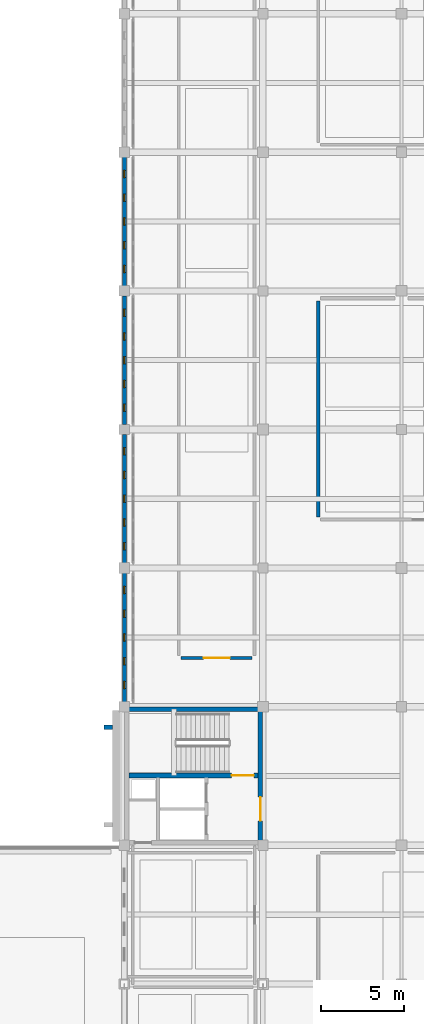
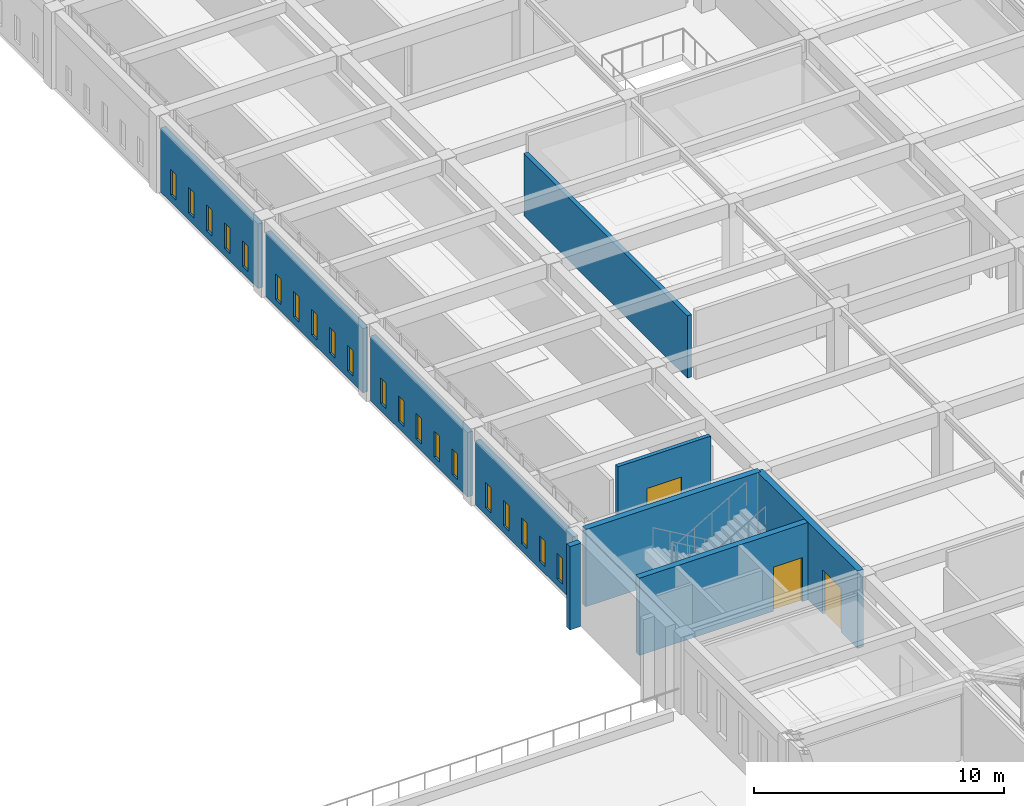
# One storey, part 32 of 47: 20 windows, 10 walls, 3 doors, 23 openings.
"""IFC4 building model written with IfcOpenShell, lengths in metres."""

import ifcopenshell
import ifcopenshell.guid

model = None  # the IFC model being written
_history = None  # IfcOwnerHistory: only IFC2X3 demands one
_inside = {}  # id of a spatial element -> (the spatial element, [elements in it])
_under = {}  # id of a project, library or spatial element -> (it, [spatial elements below it])
_declared = {}  # id of a project -> (the project, [libraries it declares])
_typed = {}  # id of a type object -> (the type object, [elements of that type])
_made_of = {}  # id of a material, layer set ... -> (it, [elements and type objects made of it])


def new_model(schema):
    """Start an empty IFC model of exactly this schema.

    Asked for "IFC4X3", IfcOpenShell would pick the latest addendum, in which some entities
    have other attributes; the version numbers below select the first issue.
    IFC2X3 requires an IfcOwnerHistory on every rooted entity: one is made here for all.
    """
    global model, _history
    if schema == "IFC4X3":
        model = ifcopenshell.file(schema_version=(4, 3, 0, 0))
    else:
        model = ifcopenshell.file(schema=schema)
    _inside.clear()
    _under.clear()
    _declared.clear()
    _typed.clear()
    _made_of.clear()
    _history = None
    if model.schema == "IFC2X3":
        org = make("IfcOrganization", Name="unknown")
        user = make(
            "IfcPersonAndOrganization",
            ThePerson=make("IfcPerson", FamilyName="unknown"),
            TheOrganization=org,
        )
        app = make(
            "IfcApplication",
            ApplicationDeveloper=org,
            Version="unknown",
            ApplicationFullName="unknown",
            ApplicationIdentifier="unknown",
        )
        _history = make(
            "IfcOwnerHistory",
            OwningUser=user,
            OwningApplication=app,
            ChangeAction="ADDED",
            CreationDate=0,
        )
    return model


def make(cls, **values):
    """One entity of the class cls with the attributes given. An attribute that is None is left unset."""
    return model.create_entity(
        cls, **{name: value for name, value in values.items() if value is not None}
    )


def rooted(cls, **values):
    """An entity with a GlobalId (a new one), such as an element, a storey or a relation."""
    return make(cls, GlobalId=ifcopenshell.guid.new(), OwnerHistory=_history, **values)


def si_unit(unit_type, name, prefix=None):
    """IfcSIUnit, for example si_unit("LENGTHUNIT", "METRE", prefix="MILLI")."""
    return make("IfcSIUnit", UnitType=unit_type, Prefix=prefix, Name=name)


def assignment(units):
    """IfcUnitAssignment: the units of a project."""
    return None if units is None else make("IfcUnitAssignment", Units=units)


def point(xyz):
    """IfcCartesianPoint."""
    return None if xyz is None else make("IfcCartesianPoint", Coordinates=xyz)


def direction(xyz):
    """IfcDirection."""
    return None if xyz is None else make("IfcDirection", DirectionRatios=xyz)


def frame(location, z_axis=None, x_axis=None):
    """IfcAxis2Placement3D, a coordinate frame: its origin and axes. An axis left out is left unset."""
    return make(
        "IfcAxis2Placement3D",
        Location=point(location),
        Axis=direction(z_axis),
        RefDirection=direction(x_axis),
    )


def frame_2d(location, x_axis=None):
    """IfcAxis2Placement2D, a coordinate frame in the plane: its origin and x axis."""
    return make(
        "IfcAxis2Placement2D", Location=point(location), RefDirection=direction(x_axis)
    )


def origin():
    """The frame at (0, 0, 0) with its axes left unset."""
    return frame((0.0, 0.0, 0.0))


def place(relative_to, where):
    """IfcLocalPlacement: puts the frame where relative to a parent placement (None: the world)."""
    return make(
        "IfcLocalPlacement", PlacementRelTo=relative_to, RelativePlacement=where
    )


def context(
    kind, dimensions, precision=None, world=None, true_north=None, identifier=None
):
    """IfcGeometricRepresentationContext, for example the 3D "Model" context."""
    return make(
        "IfcGeometricRepresentationContext",
        ContextIdentifier=identifier,
        ContextType=kind,
        CoordinateSpaceDimension=dimensions,
        Precision=precision,
        WorldCoordinateSystem=world,
        TrueNorth=true_north,
    )


def subcontext(parent, identifier, kind, view, scale=None):
    """IfcGeometricRepresentationSubContext, for example "Body" below "Model"."""
    return make(
        "IfcGeometricRepresentationSubContext",
        ContextIdentifier=identifier,
        ContextType=kind,
        ParentContext=parent,
        TargetScale=scale,
        TargetView=view,
    )


def project(units=None, contexts=None):
    """IfcProject with its units and contexts."""
    return rooted(
        "IfcProject",
        Name="project",
        RepresentationContexts=contexts,
        UnitsInContext=assignment(units),
    )


def spatial(cls, under=None, at=None, **own):
    """A site, building, storey or space (cls), placed at a placement, below another one or the project."""
    s = rooted(cls, ObjectPlacement=at, **own)
    if under is not None:
        _under.setdefault(under.id(), (under, []))[1].append(s)
    return s


def profile(cls, at=None, kind="AREA", **sizes):
    """A parametric profile (cls). Its sizes go by their IFC names, for example OverallWidth=200.0."""
    return make(cls, ProfileType=kind, Position=at, **sizes)


def rectangle(**sizes):
    """IfcRectangleProfileDef."""
    return profile("IfcRectangleProfileDef", **sizes)


def extrude(swept, where, along, depth):
    """IfcExtrudedAreaSolid: the profile swept, set in the frame where, extruded along a direction by depth."""
    return make(
        "IfcExtrudedAreaSolid",
        SweptArea=swept,
        Position=where,
        ExtrudedDirection=direction(along),
        Depth=depth,
    )


def shape(context_of_items, identifier, shape_type, items):
    """IfcShapeRepresentation: the items that make up one representation, for example the "Body"."""
    return make(
        "IfcShapeRepresentation",
        ContextOfItems=context_of_items,
        RepresentationIdentifier=identifier,
        RepresentationType=shape_type,
        Items=items,
    )


def material(Name=None, Category=None):
    """IfcMaterial."""
    return make("IfcMaterial", Name=Name, Category=Category)


def layer(
    of_material, thickness, ventilated=None, Name=None, Category=None, Priority=None
):
    """IfcMaterialLayer: one layer of a wall or slab, of a material (None: an air gap)."""
    return make(
        "IfcMaterialLayer",
        Material=of_material,
        LayerThickness=thickness,
        IsVentilated=ventilated,
        Name=Name,
        Category=Category,
        Priority=Priority,
    )


def layer_set(layers, Name=None):
    """IfcMaterialLayerSet."""
    return make("IfcMaterialLayerSet", MaterialLayers=layers, LayerSetName=Name)


def made_of(thing, what):
    """Note that an element or type object is made of a material, layer set ...; save() writes the relation."""
    if what is not None:
        _made_of.setdefault(what.id(), (what, []))[1].append(thing)
    return thing


def type_object(cls, material=None, **own):
    """A type object (cls), such as IfcWallType, which elements share."""
    return made_of(rooted(cls, **own), material)


def element(
    cls,
    number,
    at=None,
    inside=None,
    cuts=None,
    type_object=None,
    material=None,
    context=None,
    identifier="Body",
    shape_type=None,
    held_by="IfcProductDefinitionShape",
    body=None,
    shapes=None,
    **own,
):
    """One element of the class cls, such as IfcWall. Its Tag is "e" and its number.

    at: its placement. inside: the storey or other place that contains it. cuts: it is an
    opening in that element (IfcRelVoidsElement). A single representation is given by context,
    identifier, shape_type and body (its items); several are given by shapes. held_by: the class
    of the entity that holds the representations. save() writes the other relations.
    """
    e = rooted(cls, Tag="e%d" % number, ObjectPlacement=at, **own)
    if body is not None:
        shapes = [shape(context, identifier, shape_type, body)]
    if shapes is not None:
        e.Representation = make(held_by, Representations=shapes)
    if inside is not None:
        _inside.setdefault(inside.id(), (inside, []))[1].append(e)
    if cuts is not None:
        rooted(
            "IfcRelVoidsElement", RelatingBuildingElement=cuts, RelatedOpeningElement=e
        )
    if type_object is not None:
        _typed.setdefault(type_object.id(), (type_object, []))[1].append(e)
    return made_of(e, material)


def fill(opening, filler):
    """IfcRelFillsElement: the door or window that sits in an opening."""
    return rooted(
        "IfcRelFillsElement",
        RelatingOpeningElement=opening,
        RelatedBuildingElement=filler,
    )


def aggregate(whole, parts):
    """IfcRelAggregates: a whole, such as a stair, and the parts it consists of."""
    return rooted("IfcRelAggregates", RelatingObject=whole, RelatedObjects=parts)


def save(model, path):
    """Write the relations noted so far, then the file.

    IfcRelAggregates (storeys below a building ...), IfcRelContainedInSpatialStructure (elements
    in a storey), IfcRelDefinesByType, IfcRelAssociatesMaterial and IfcRelDeclares: one each for
    every whole, place, type object, material and project.
    """
    for whole, parts in _under.values():
        aggregate(whole, parts)
    for where, things in _inside.values():
        rooted(
            "IfcRelContainedInSpatialStructure",
            RelatedElements=things,
            RelatingStructure=where,
        )
    for kind, things in _typed.values():
        rooted("IfcRelDefinesByType", RelatedObjects=things, RelatingType=kind)
    for what, things in _made_of.values():
        rooted("IfcRelAssociatesMaterial", RelatedObjects=things, RelatingMaterial=what)
    for by, libraries in _declared.values():
        rooted("IfcRelDeclares", RelatingContext=by, RelatedDefinitions=libraries)
    model.write(path)


model = new_model("IFC4")

# Units and contexts
model_context = context("Model", 3, precision=1e-05, world=origin(), true_north=direction((0.0, 1.0)))
body_context = subcontext(model_context, "Body", "Model", "MODEL_VIEW")
ifc_project = project(units=[si_unit("LENGTHUNIT", "METRE"), si_unit("AREAUNIT", "SQUARE_METRE"), si_unit("VOLUMEUNIT", "CUBIC_METRE"), si_unit("PLANEANGLEUNIT", "RADIAN"), si_unit("MASSUNIT", "GRAM", prefix="KILO")], contexts=[model_context])

# Site, building, storey
site_placement = place(None, origin())
site = spatial("IfcSite", under=ifc_project, at=site_placement, CompositionType="ELEMENT")
building_placement = place(site_placement, origin())
building = spatial("IfcBuilding", under=site, at=building_placement, Name="Kveldsbrygga Polytechnic", CompositionType="ELEMENT")
storey_placement = place(building_placement, frame((0.0, 0.0, 13.93994140625)))
storey = spatial("IfcBuildingStorey", under=building, at=storey_placement, Name="L03", CompositionType="ELEMENT", Elevation=13.93994140625)

# Wall
ifc_material_1 = material(Name="Fired clay brick masonry M10", Category="masonry")
ifc_layer_1 = layer(ifc_material_1, 0.260009765625)
ifc_layer_set_1 = layer_set([ifc_layer_1], Name="Fired clay brick masonry M10")
wall_type_1 = type_object("IfcWallType", Name="EW-BUTT-260", PredefinedType="SOLIDWALL", material=ifc_layer_set_1)
wall_1_placement = place(storey_placement, frame((125.300048828125, 32.35009765625, 0.0), z_axis=(0.0, 0.0, 1.0), x_axis=(-1.0, 0.0, 0.0)))
element("IfcWall", 1, at=wall_1_placement, inside=storey, type_object=wall_type_1, Name="Gothic Brick Buttress Pier BCLAS-L03-Y-15-03-2", PredefinedType="SOLIDWALL", context=body_context, shape_type="SweptSolid", body=[
    extrude(rectangle(XDim=0.52001953125, YDim=0.260009765625, at=frame_2d((0.260009765625, 0.0))), origin(), (0.0, 0.0, 1.0), 4.080078125),
])

# Wall, openings, windows
ifc_layer_2 = layer(ifc_material_1, 0.239990234375)
ifc_layer_set_2 = layer_set([ifc_layer_2], Name="Fired clay brick masonry M10")
wall_type_2 = type_object("IfcWallType", Name="EW-SCRN-240", PredefinedType="SOLIDWALL", material=ifc_layer_set_2)
wall_2_placement = place(storey_placement, frame((126.0, 33.89501953125, 0.0), z_axis=(0.0, 0.0, 1.0), x_axis=(0.0, 1.0, 0.0)))
wall_2 = element("IfcWall", 2, at=wall_2_placement, inside=storey, type_object=wall_type_2, Name="Perforated Brick Corridor Screen Wall SCRW-L03-Y-15-04", PredefinedType="SOLIDWALL", context=body_context, shape_type="SweptSolid", body=[
    extrude(rectangle(XDim=7.794921875, YDim=0.239990234375, at=frame_2d((3.8974609375, 0.0))), origin(), (0.0, 0.0, 1.0), 3.150146484375),
])
opening_1_placement = place(wall_2_placement, frame((0.799560546875, 0.0, 0.35009765625)))
opening_1 = element("IfcOpeningElement", 3, at=opening_1_placement, cuts=wall_2, Name="Opening W-48", PredefinedType="OPENING", context=body_context, shape_type="SweptSolid", body=[
    extrude(rectangle(XDim=0.43994140625, YDim=1.25, at=frame_2d((0.219970703125, 0.625))), frame((0.0, 0.1298828125, 0.0), z_axis=(0.0, -1.0, 0.0), x_axis=(1.0, 0.0, 0.0)), (0.0, 0.0, 1.0), 0.260009765625),
])
opening_2_placement = place(wall_2_placement, frame((2.238525390625, 0.0, 0.35009765625)))
opening_2 = element("IfcOpeningElement", 4, at=opening_2_placement, cuts=wall_2, Name="Opening W-48", PredefinedType="OPENING", context=body_context, shape_type="SweptSolid", body=[
    extrude(rectangle(XDim=0.43994140625, YDim=1.25, at=frame_2d((0.219970703125, 0.625))), frame((0.0, 0.1298828125, 0.0), z_axis=(0.0, -1.0, 0.0), x_axis=(1.0, 0.0, 0.0)), (0.0, 0.0, 1.0), 0.260009765625),
])
opening_3_placement = place(wall_2_placement, frame((3.677490234375, 0.0, 0.35009765625)))
opening_3 = element("IfcOpeningElement", 5, at=opening_3_placement, cuts=wall_2, Name="Opening W-48", PredefinedType="OPENING", context=body_context, shape_type="SweptSolid", body=[
    extrude(rectangle(XDim=0.43994140625, YDim=1.25, at=frame_2d((0.219970703125, 0.625))), frame((0.0, 0.1298828125, 0.0), z_axis=(0.0, -1.0, 0.0), x_axis=(1.0, 0.0, 0.0)), (0.0, 0.0, 1.0), 0.260009765625),
])
opening_4_placement = place(wall_2_placement, frame((5.116455078125, 0.0, 0.35009765625)))
opening_4 = element("IfcOpeningElement", 6, at=opening_4_placement, cuts=wall_2, Name="Opening W-48", PredefinedType="OPENING", context=body_context, shape_type="SweptSolid", body=[
    extrude(rectangle(XDim=0.43994140625, YDim=1.25, at=frame_2d((0.219970703125, 0.625))), frame((0.0, 0.1298828125, 0.0), z_axis=(0.0, -1.0, 0.0), x_axis=(1.0, 0.0, 0.0)), (0.0, 0.0, 1.0), 0.260009765625),
])
opening_5_placement = place(wall_2_placement, frame((6.555419921875, 0.0, 0.35009765625)))
opening_5 = element("IfcOpeningElement", 7, at=opening_5_placement, cuts=wall_2, Name="Opening W-48", PredefinedType="OPENING", context=body_context, shape_type="SweptSolid", body=[
    extrude(rectangle(XDim=0.43994140625, YDim=1.25, at=frame_2d((0.219970703125, 0.625))), frame((0.0, 0.1298828125, 0.0), z_axis=(0.0, -1.0, 0.0), x_axis=(1.0, 0.0, 0.0)), (0.0, 0.0, 1.0), 0.260009765625),
])
ifc_material_2 = material(Name="Insulated triple low-E glass", Category="glass")
window_type = type_object("IfcWindowType", Name="WN-SCRN-044x125", PartitioningType="SINGLE_PANEL", PredefinedType="WINDOW", material=ifc_material_2)
window_1_placement = place(opening_1_placement, origin())
window_1 = element("IfcWindow", 8, at=window_1_placement, inside=storey, type_object=window_type, Name="Perforated Screen Aperture L03-Y-15-04-1", OverallHeight=1.25, OverallWidth=0.43994140625, PartitioningType="SINGLE_PANEL", PredefinedType="WINDOW", context=body_context, shape_type="SweptSolid", body=[
    extrude(rectangle(XDim=0.43994140625, YDim=1.25, at=frame_2d((0.219970703125, 0.625))), frame((0.0, 0.030029296875, 0.0), z_axis=(0.0, -1.0, 0.0), x_axis=(1.0, 0.0, 0.0)), (0.0, 0.0, 1.0), 0.06005859375),
])
fill(opening_1, window_1)
window_2_placement = place(opening_2_placement, origin())
window_2 = element("IfcWindow", 9, at=window_2_placement, inside=storey, type_object=window_type, Name="Perforated Screen Aperture L03-Y-15-04-2", OverallHeight=1.25, OverallWidth=0.43994140625, PartitioningType="SINGLE_PANEL", PredefinedType="WINDOW", context=body_context, shape_type="SweptSolid", body=[
    extrude(rectangle(XDim=0.43994140625, YDim=1.25, at=frame_2d((0.219970703125, 0.625))), frame((0.0, 0.030029296875, 0.0), z_axis=(0.0, -1.0, 0.0), x_axis=(1.0, 0.0, 0.0)), (0.0, 0.0, 1.0), 0.06005859375),
])
fill(opening_2, window_2)
window_3_placement = place(opening_3_placement, origin())
window_3 = element("IfcWindow", 10, at=window_3_placement, inside=storey, type_object=window_type, Name="Perforated Screen Aperture L03-Y-15-04-3", OverallHeight=1.25, OverallWidth=0.43994140625, PartitioningType="SINGLE_PANEL", PredefinedType="WINDOW", context=body_context, shape_type="SweptSolid", body=[
    extrude(rectangle(XDim=0.43994140625, YDim=1.25, at=frame_2d((0.219970703125, 0.625))), frame((0.0, 0.030029296875, 0.0), z_axis=(0.0, -1.0, 0.0), x_axis=(1.0, 0.0, 0.0)), (0.0, 0.0, 1.0), 0.06005859375),
])
fill(opening_3, window_3)
window_4_placement = place(opening_4_placement, origin())
window_4 = element("IfcWindow", 11, at=window_4_placement, inside=storey, type_object=window_type, Name="Perforated Screen Aperture L03-Y-15-04-4", OverallHeight=1.25, OverallWidth=0.43994140625, PartitioningType="SINGLE_PANEL", PredefinedType="WINDOW", context=body_context, shape_type="SweptSolid", body=[
    extrude(rectangle(XDim=0.43994140625, YDim=1.25, at=frame_2d((0.219970703125, 0.625))), frame((0.0, 0.030029296875, 0.0), z_axis=(0.0, -1.0, 0.0), x_axis=(1.0, 0.0, 0.0)), (0.0, 0.0, 1.0), 0.06005859375),
])
fill(opening_4, window_4)
window_5_placement = place(opening_5_placement, origin())
window_5 = element("IfcWindow", 12, at=window_5_placement, inside=storey, type_object=window_type, Name="Perforated Screen Aperture L03-Y-15-04-5", OverallHeight=1.25, OverallWidth=0.43994140625, PartitioningType="SINGLE_PANEL", PredefinedType="WINDOW", context=body_context, shape_type="SweptSolid", body=[
    extrude(rectangle(XDim=0.43994140625, YDim=1.25, at=frame_2d((0.219970703125, 0.625))), frame((0.0, 0.030029296875, 0.0), z_axis=(0.0, -1.0, 0.0), x_axis=(1.0, 0.0, 0.0)), (0.0, 0.0, 1.0), 0.06005859375),
])
fill(opening_5, window_5)

wall_3_placement = place(storey_placement, frame((126.0, 42.31005859375, 0.0), z_axis=(0.0, 0.0, 1.0), x_axis=(0.0, 1.0, 0.0)))
wall_3 = element("IfcWall", 13, at=wall_3_placement, inside=storey, type_object=wall_type_2, Name="Perforated Brick Corridor Screen Wall SCRW-L03-Y-15-05", PredefinedType="SOLIDWALL", context=body_context, shape_type="SweptSolid", body=[
    extrude(rectangle(XDim=7.794921875, YDim=0.239990234375, at=frame_2d((3.8974609375, 0.0))), origin(), (0.0, 0.0, 1.0), 3.150146484375),
])
opening_6_placement = place(wall_3_placement, frame((0.799560546875, 0.0, 0.35009765625)))
opening_6 = element("IfcOpeningElement", 14, at=opening_6_placement, cuts=wall_3, Name="Opening W-48", PredefinedType="OPENING", context=body_context, shape_type="SweptSolid", body=[
    extrude(rectangle(XDim=0.43994140625, YDim=1.25, at=frame_2d((0.219970703125, 0.625))), frame((0.0, 0.1298828125, 0.0), z_axis=(0.0, -1.0, 0.0), x_axis=(1.0, 0.0, 0.0)), (0.0, 0.0, 1.0), 0.260009765625),
])
opening_7_placement = place(wall_3_placement, frame((2.238525390625, 0.0, 0.35009765625)))
opening_7 = element("IfcOpeningElement", 15, at=opening_7_placement, cuts=wall_3, Name="Opening W-48", PredefinedType="OPENING", context=body_context, shape_type="SweptSolid", body=[
    extrude(rectangle(XDim=0.43994140625, YDim=1.25, at=frame_2d((0.219970703125, 0.625))), frame((0.0, 0.1298828125, 0.0), z_axis=(0.0, -1.0, 0.0), x_axis=(1.0, 0.0, 0.0)), (0.0, 0.0, 1.0), 0.260009765625),
])
opening_8_placement = place(wall_3_placement, frame((3.677490234375, 0.0, 0.35009765625)))
opening_8 = element("IfcOpeningElement", 16, at=opening_8_placement, cuts=wall_3, Name="Opening W-48", PredefinedType="OPENING", context=body_context, shape_type="SweptSolid", body=[
    extrude(rectangle(XDim=0.43994140625, YDim=1.25, at=frame_2d((0.219970703125, 0.625))), frame((0.0, 0.1298828125, 0.0), z_axis=(0.0, -1.0, 0.0), x_axis=(1.0, 0.0, 0.0)), (0.0, 0.0, 1.0), 0.260009765625),
])
opening_9_placement = place(wall_3_placement, frame((5.116455078125, 0.0, 0.35009765625)))
opening_9 = element("IfcOpeningElement", 17, at=opening_9_placement, cuts=wall_3, Name="Opening W-48", PredefinedType="OPENING", context=body_context, shape_type="SweptSolid", body=[
    extrude(rectangle(XDim=0.43994140625, YDim=1.25, at=frame_2d((0.219970703125, 0.625))), frame((0.0, 0.1298828125, 0.0), z_axis=(0.0, -1.0, 0.0), x_axis=(1.0, 0.0, 0.0)), (0.0, 0.0, 1.0), 0.260009765625),
])
opening_10_placement = place(wall_3_placement, frame((6.555419921875, 0.0, 0.35009765625)))
opening_10 = element("IfcOpeningElement", 18, at=opening_10_placement, cuts=wall_3, Name="Opening W-48", PredefinedType="OPENING", context=body_context, shape_type="SweptSolid", body=[
    extrude(rectangle(XDim=0.43994140625, YDim=1.25, at=frame_2d((0.219970703125, 0.625))), frame((0.0, 0.1298828125, 0.0), z_axis=(0.0, -1.0, 0.0), x_axis=(1.0, 0.0, 0.0)), (0.0, 0.0, 1.0), 0.260009765625),
])
window_6_placement = place(opening_6_placement, origin())
window_6 = element("IfcWindow", 19, at=window_6_placement, inside=storey, type_object=window_type, Name="Perforated Screen Aperture L03-Y-15-05-1", OverallHeight=1.25, OverallWidth=0.43994140625, PartitioningType="SINGLE_PANEL", PredefinedType="WINDOW", context=body_context, shape_type="SweptSolid", body=[
    extrude(rectangle(XDim=0.43994140625, YDim=1.25, at=frame_2d((0.219970703125, 0.625))), frame((0.0, 0.030029296875, 0.0), z_axis=(0.0, -1.0, 0.0), x_axis=(1.0, 0.0, 0.0)), (0.0, 0.0, 1.0), 0.06005859375),
])
fill(opening_6, window_6)
window_7_placement = place(opening_7_placement, origin())
window_7 = element("IfcWindow", 20, at=window_7_placement, inside=storey, type_object=window_type, Name="Perforated Screen Aperture L03-Y-15-05-2", OverallHeight=1.25, OverallWidth=0.43994140625, PartitioningType="SINGLE_PANEL", PredefinedType="WINDOW", context=body_context, shape_type="SweptSolid", body=[
    extrude(rectangle(XDim=0.43994140625, YDim=1.25, at=frame_2d((0.219970703125, 0.625))), frame((0.0, 0.030029296875, 0.0), z_axis=(0.0, -1.0, 0.0), x_axis=(1.0, 0.0, 0.0)), (0.0, 0.0, 1.0), 0.06005859375),
])
fill(opening_7, window_7)
window_8_placement = place(opening_8_placement, origin())
window_8 = element("IfcWindow", 21, at=window_8_placement, inside=storey, type_object=window_type, Name="Perforated Screen Aperture L03-Y-15-05-3", OverallHeight=1.25, OverallWidth=0.43994140625, PartitioningType="SINGLE_PANEL", PredefinedType="WINDOW", context=body_context, shape_type="SweptSolid", body=[
    extrude(rectangle(XDim=0.43994140625, YDim=1.25, at=frame_2d((0.219970703125, 0.625))), frame((0.0, 0.030029296875, 0.0), z_axis=(0.0, -1.0, 0.0), x_axis=(1.0, 0.0, 0.0)), (0.0, 0.0, 1.0), 0.06005859375),
])
fill(opening_8, window_8)
window_9_placement = place(opening_9_placement, origin())
window_9 = element("IfcWindow", 22, at=window_9_placement, inside=storey, type_object=window_type, Name="Perforated Screen Aperture L03-Y-15-05-4", OverallHeight=1.25, OverallWidth=0.43994140625, PartitioningType="SINGLE_PANEL", PredefinedType="WINDOW", context=body_context, shape_type="SweptSolid", body=[
    extrude(rectangle(XDim=0.43994140625, YDim=1.25, at=frame_2d((0.219970703125, 0.625))), frame((0.0, 0.030029296875, 0.0), z_axis=(0.0, -1.0, 0.0), x_axis=(1.0, 0.0, 0.0)), (0.0, 0.0, 1.0), 0.06005859375),
])
fill(opening_9, window_9)
window_10_placement = place(opening_10_placement, origin())
window_10 = element("IfcWindow", 23, at=window_10_placement, inside=storey, type_object=window_type, Name="Perforated Screen Aperture L03-Y-15-05-5", OverallHeight=1.25, OverallWidth=0.43994140625, PartitioningType="SINGLE_PANEL", PredefinedType="WINDOW", context=body_context, shape_type="SweptSolid", body=[
    extrude(rectangle(XDim=0.43994140625, YDim=1.25, at=frame_2d((0.219970703125, 0.625))), frame((0.0, 0.030029296875, 0.0), z_axis=(0.0, -1.0, 0.0), x_axis=(1.0, 0.0, 0.0)), (0.0, 0.0, 1.0), 0.06005859375),
])
fill(opening_10, window_10)

wall_4_placement = place(storey_placement, frame((126.0, 50.695068359375, 0.0), z_axis=(0.0, 0.0, 1.0), x_axis=(0.0, 1.0, 0.0)))
wall_4 = element("IfcWall", 24, at=wall_4_placement, inside=storey, type_object=wall_type_2, Name="Perforated Brick Corridor Screen Wall SCRW-L03-Y-15-06", PredefinedType="SOLIDWALL", context=body_context, shape_type="SweptSolid", body=[
    extrude(rectangle(XDim=7.794921875, YDim=0.239990234375, at=frame_2d((3.8974609375, 0.0))), origin(), (0.0, 0.0, 1.0), 3.150146484375),
])
opening_11_placement = place(wall_4_placement, frame((0.799560546875, 0.0, 0.35009765625)))
opening_11 = element("IfcOpeningElement", 25, at=opening_11_placement, cuts=wall_4, Name="Opening W-48", PredefinedType="OPENING", context=body_context, shape_type="SweptSolid", body=[
    extrude(rectangle(XDim=0.43994140625, YDim=1.25, at=frame_2d((0.219970703125, 0.625))), frame((0.0, 0.1298828125, 0.0), z_axis=(0.0, -1.0, 0.0), x_axis=(1.0, 0.0, 0.0)), (0.0, 0.0, 1.0), 0.260009765625),
])
opening_12_placement = place(wall_4_placement, frame((2.238525390625, 0.0, 0.35009765625)))
opening_12 = element("IfcOpeningElement", 26, at=opening_12_placement, cuts=wall_4, Name="Opening W-48", PredefinedType="OPENING", context=body_context, shape_type="SweptSolid", body=[
    extrude(rectangle(XDim=0.43994140625, YDim=1.25, at=frame_2d((0.219970703125, 0.625))), frame((0.0, 0.1298828125, 0.0), z_axis=(0.0, -1.0, 0.0), x_axis=(1.0, 0.0, 0.0)), (0.0, 0.0, 1.0), 0.260009765625),
])
opening_13_placement = place(wall_4_placement, frame((3.677490234375, 0.0, 0.35009765625)))
opening_13 = element("IfcOpeningElement", 27, at=opening_13_placement, cuts=wall_4, Name="Opening W-48", PredefinedType="OPENING", context=body_context, shape_type="SweptSolid", body=[
    extrude(rectangle(XDim=0.43994140625, YDim=1.25, at=frame_2d((0.219970703125, 0.625))), frame((0.0, 0.1298828125, 0.0), z_axis=(0.0, -1.0, 0.0), x_axis=(1.0, 0.0, 0.0)), (0.0, 0.0, 1.0), 0.260009765625),
])
opening_14_placement = place(wall_4_placement, frame((5.116455078125, 0.0, 0.35009765625)))
opening_14 = element("IfcOpeningElement", 28, at=opening_14_placement, cuts=wall_4, Name="Opening W-48", PredefinedType="OPENING", context=body_context, shape_type="SweptSolid", body=[
    extrude(rectangle(XDim=0.43994140625, YDim=1.25, at=frame_2d((0.219970703125, 0.625))), frame((0.0, 0.1298828125, 0.0), z_axis=(0.0, -1.0, 0.0), x_axis=(1.0, 0.0, 0.0)), (0.0, 0.0, 1.0), 0.260009765625),
])
opening_15_placement = place(wall_4_placement, frame((6.555419921875, 0.0, 0.35009765625)))
opening_15 = element("IfcOpeningElement", 29, at=opening_15_placement, cuts=wall_4, Name="Opening W-48", PredefinedType="OPENING", context=body_context, shape_type="SweptSolid", body=[
    extrude(rectangle(XDim=0.43994140625, YDim=1.25, at=frame_2d((0.219970703125, 0.625))), frame((0.0, 0.1298828125, 0.0), z_axis=(0.0, -1.0, 0.0), x_axis=(1.0, 0.0, 0.0)), (0.0, 0.0, 1.0), 0.260009765625),
])
window_11_placement = place(opening_11_placement, origin())
window_11 = element("IfcWindow", 30, at=window_11_placement, inside=storey, type_object=window_type, Name="Perforated Screen Aperture L03-Y-15-06-1", OverallHeight=1.25, OverallWidth=0.43994140625, PartitioningType="SINGLE_PANEL", PredefinedType="WINDOW", context=body_context, shape_type="SweptSolid", body=[
    extrude(rectangle(XDim=0.43994140625, YDim=1.25, at=frame_2d((0.219970703125, 0.625))), frame((0.0, 0.030029296875, 0.0), z_axis=(0.0, -1.0, 0.0), x_axis=(1.0, 0.0, 0.0)), (0.0, 0.0, 1.0), 0.06005859375),
])
fill(opening_11, window_11)
window_12_placement = place(opening_12_placement, origin())
window_12 = element("IfcWindow", 31, at=window_12_placement, inside=storey, type_object=window_type, Name="Perforated Screen Aperture L03-Y-15-06-2", OverallHeight=1.25, OverallWidth=0.43994140625, PartitioningType="SINGLE_PANEL", PredefinedType="WINDOW", context=body_context, shape_type="SweptSolid", body=[
    extrude(rectangle(XDim=0.43994140625, YDim=1.25, at=frame_2d((0.219970703125, 0.625))), frame((0.0, 0.030029296875, 0.0), z_axis=(0.0, -1.0, 0.0), x_axis=(1.0, 0.0, 0.0)), (0.0, 0.0, 1.0), 0.06005859375),
])
fill(opening_12, window_12)
window_13_placement = place(opening_13_placement, origin())
window_13 = element("IfcWindow", 32, at=window_13_placement, inside=storey, type_object=window_type, Name="Perforated Screen Aperture L03-Y-15-06-3", OverallHeight=1.25, OverallWidth=0.43994140625, PartitioningType="SINGLE_PANEL", PredefinedType="WINDOW", context=body_context, shape_type="SweptSolid", body=[
    extrude(rectangle(XDim=0.43994140625, YDim=1.25, at=frame_2d((0.219970703125, 0.625))), frame((0.0, 0.030029296875, 0.0), z_axis=(0.0, -1.0, 0.0), x_axis=(1.0, 0.0, 0.0)), (0.0, 0.0, 1.0), 0.06005859375),
])
fill(opening_13, window_13)
window_14_placement = place(opening_14_placement, origin())
window_14 = element("IfcWindow", 33, at=window_14_placement, inside=storey, type_object=window_type, Name="Perforated Screen Aperture L03-Y-15-06-4", OverallHeight=1.25, OverallWidth=0.43994140625, PartitioningType="SINGLE_PANEL", PredefinedType="WINDOW", context=body_context, shape_type="SweptSolid", body=[
    extrude(rectangle(XDim=0.43994140625, YDim=1.25, at=frame_2d((0.219970703125, 0.625))), frame((0.0, 0.030029296875, 0.0), z_axis=(0.0, -1.0, 0.0), x_axis=(1.0, 0.0, 0.0)), (0.0, 0.0, 1.0), 0.06005859375),
])
fill(opening_14, window_14)
window_15_placement = place(opening_15_placement, origin())
window_15 = element("IfcWindow", 34, at=window_15_placement, inside=storey, type_object=window_type, Name="Perforated Screen Aperture L03-Y-15-06-5", OverallHeight=1.25, OverallWidth=0.43994140625, PartitioningType="SINGLE_PANEL", PredefinedType="WINDOW", context=body_context, shape_type="SweptSolid", body=[
    extrude(rectangle(XDim=0.43994140625, YDim=1.25, at=frame_2d((0.219970703125, 0.625))), frame((0.0, 0.030029296875, 0.0), z_axis=(0.0, -1.0, 0.0), x_axis=(1.0, 0.0, 0.0)), (0.0, 0.0, 1.0), 0.06005859375),
])
fill(opening_15, window_15)

wall_5_placement = place(storey_placement, frame((126.0, 59.110107421875, 0.0), z_axis=(0.0, 0.0, 1.0), x_axis=(0.0, 1.0, 0.0)))
wall_5 = element("IfcWall", 35, at=wall_5_placement, inside=storey, type_object=wall_type_2, Name="Perforated Brick Corridor Screen Wall SCRW-L03-Y-15-07", PredefinedType="SOLIDWALL", context=body_context, shape_type="SweptSolid", body=[
    extrude(rectangle(XDim=7.794921875, YDim=0.239990234375, at=frame_2d((3.8974609375, 0.0))), origin(), (0.0, 0.0, 1.0), 3.150146484375),
])
opening_16_placement = place(wall_5_placement, frame((0.799560546875, 0.0, 0.35009765625)))
opening_16 = element("IfcOpeningElement", 36, at=opening_16_placement, cuts=wall_5, Name="Opening W-48", PredefinedType="OPENING", context=body_context, shape_type="SweptSolid", body=[
    extrude(rectangle(XDim=0.43994140625, YDim=1.25, at=frame_2d((0.219970703125, 0.625))), frame((0.0, 0.1298828125, 0.0), z_axis=(0.0, -1.0, 0.0), x_axis=(1.0, 0.0, 0.0)), (0.0, 0.0, 1.0), 0.260009765625),
])
opening_17_placement = place(wall_5_placement, frame((2.238525390625, 0.0, 0.35009765625)))
opening_17 = element("IfcOpeningElement", 37, at=opening_17_placement, cuts=wall_5, Name="Opening W-48", PredefinedType="OPENING", context=body_context, shape_type="SweptSolid", body=[
    extrude(rectangle(XDim=0.43994140625, YDim=1.25, at=frame_2d((0.219970703125, 0.625))), frame((0.0, 0.1298828125, 0.0), z_axis=(0.0, -1.0, 0.0), x_axis=(1.0, 0.0, 0.0)), (0.0, 0.0, 1.0), 0.260009765625),
])
opening_18_placement = place(wall_5_placement, frame((3.677490234375, 0.0, 0.35009765625)))
opening_18 = element("IfcOpeningElement", 38, at=opening_18_placement, cuts=wall_5, Name="Opening W-48", PredefinedType="OPENING", context=body_context, shape_type="SweptSolid", body=[
    extrude(rectangle(XDim=0.43994140625, YDim=1.25, at=frame_2d((0.219970703125, 0.625))), frame((0.0, 0.1298828125, 0.0), z_axis=(0.0, -1.0, 0.0), x_axis=(1.0, 0.0, 0.0)), (0.0, 0.0, 1.0), 0.260009765625),
])
opening_19_placement = place(wall_5_placement, frame((5.116455078125, 0.0, 0.35009765625)))
opening_19 = element("IfcOpeningElement", 39, at=opening_19_placement, cuts=wall_5, Name="Opening W-48", PredefinedType="OPENING", context=body_context, shape_type="SweptSolid", body=[
    extrude(rectangle(XDim=0.43994140625, YDim=1.25, at=frame_2d((0.219970703125, 0.625))), frame((0.0, 0.1298828125, 0.0), z_axis=(0.0, -1.0, 0.0), x_axis=(1.0, 0.0, 0.0)), (0.0, 0.0, 1.0), 0.260009765625),
])
opening_20_placement = place(wall_5_placement, frame((6.555419921875, 0.0, 0.35009765625)))
opening_20 = element("IfcOpeningElement", 40, at=opening_20_placement, cuts=wall_5, Name="Opening W-48", PredefinedType="OPENING", context=body_context, shape_type="SweptSolid", body=[
    extrude(rectangle(XDim=0.43994140625, YDim=1.25, at=frame_2d((0.219970703125, 0.625))), frame((0.0, 0.1298828125, 0.0), z_axis=(0.0, -1.0, 0.0), x_axis=(1.0, 0.0, 0.0)), (0.0, 0.0, 1.0), 0.260009765625),
])
window_16_placement = place(opening_16_placement, origin())
window_16 = element("IfcWindow", 41, at=window_16_placement, inside=storey, type_object=window_type, Name="Perforated Screen Aperture L03-Y-15-07-1", OverallHeight=1.25, OverallWidth=0.43994140625, PartitioningType="SINGLE_PANEL", PredefinedType="WINDOW", context=body_context, shape_type="SweptSolid", body=[
    extrude(rectangle(XDim=0.43994140625, YDim=1.25, at=frame_2d((0.219970703125, 0.625))), frame((0.0, 0.030029296875, 0.0), z_axis=(0.0, -1.0, 0.0), x_axis=(1.0, 0.0, 0.0)), (0.0, 0.0, 1.0), 0.06005859375),
])
fill(opening_16, window_16)
window_17_placement = place(opening_17_placement, origin())
window_17 = element("IfcWindow", 42, at=window_17_placement, inside=storey, type_object=window_type, Name="Perforated Screen Aperture L03-Y-15-07-2", OverallHeight=1.25, OverallWidth=0.43994140625, PartitioningType="SINGLE_PANEL", PredefinedType="WINDOW", context=body_context, shape_type="SweptSolid", body=[
    extrude(rectangle(XDim=0.43994140625, YDim=1.25, at=frame_2d((0.219970703125, 0.625))), frame((0.0, 0.030029296875, 0.0), z_axis=(0.0, -1.0, 0.0), x_axis=(1.0, 0.0, 0.0)), (0.0, 0.0, 1.0), 0.06005859375),
])
fill(opening_17, window_17)
window_18_placement = place(opening_18_placement, origin())
window_18 = element("IfcWindow", 43, at=window_18_placement, inside=storey, type_object=window_type, Name="Perforated Screen Aperture L03-Y-15-07-3", OverallHeight=1.25, OverallWidth=0.43994140625, PartitioningType="SINGLE_PANEL", PredefinedType="WINDOW", context=body_context, shape_type="SweptSolid", body=[
    extrude(rectangle(XDim=0.43994140625, YDim=1.25, at=frame_2d((0.219970703125, 0.625))), frame((0.0, 0.030029296875, 0.0), z_axis=(0.0, -1.0, 0.0), x_axis=(1.0, 0.0, 0.0)), (0.0, 0.0, 1.0), 0.06005859375),
])
fill(opening_18, window_18)
window_19_placement = place(opening_19_placement, origin())
window_19 = element("IfcWindow", 44, at=window_19_placement, inside=storey, type_object=window_type, Name="Perforated Screen Aperture L03-Y-15-07-4", OverallHeight=1.25, OverallWidth=0.43994140625, PartitioningType="SINGLE_PANEL", PredefinedType="WINDOW", context=body_context, shape_type="SweptSolid", body=[
    extrude(rectangle(XDim=0.43994140625, YDim=1.25, at=frame_2d((0.219970703125, 0.625))), frame((0.0, 0.030029296875, 0.0), z_axis=(0.0, -1.0, 0.0), x_axis=(1.0, 0.0, 0.0)), (0.0, 0.0, 1.0), 0.06005859375),
])
fill(opening_19, window_19)
window_20_placement = place(opening_20_placement, origin())
window_20 = element("IfcWindow", 45, at=window_20_placement, inside=storey, type_object=window_type, Name="Perforated Screen Aperture L03-Y-15-07-5", OverallHeight=1.25, OverallWidth=0.43994140625, PartitioningType="SINGLE_PANEL", PredefinedType="WINDOW", context=body_context, shape_type="SweptSolid", body=[
    extrude(rectangle(XDim=0.43994140625, YDim=1.25, at=frame_2d((0.219970703125, 0.625))), frame((0.0, 0.030029296875, 0.0), z_axis=(0.0, -1.0, 0.0), x_axis=(1.0, 0.0, 0.0)), (0.0, 0.0, 1.0), 0.06005859375),
])
fill(opening_20, window_20)

# Wall, opening, door
ifc_material_3 = material(Name="Gypsum acoustic stud partition")
ifc_layer_3 = layer(ifc_material_3, 0.179931640625)
ifc_layer_set_3 = layer_set([ifc_layer_3], Name="Gypsum acoustic stud partition")
wall_type_3 = type_object("IfcWallType", Name="IW-CORR-180", PredefinedType="PARTITIONING", material=ifc_layer_set_3)
wall_6_placement = place(storey_placement, frame((129.449951171875, 36.550048828125, 0.0), z_axis=(0.0, 0.0, 1.0), x_axis=(1.0, 0.0, 0.0)))
wall_6 = element("IfcWall", 46, at=wall_6_placement, inside=storey, type_object=wall_type_3, Name="Partition Wall IW-SP-L03-COM1-S1", PredefinedType="PARTITIONING", context=body_context, shape_type="SweptSolid", body=[
    extrude(rectangle(XDim=4.300048828125, YDim=0.179931640625, at=frame_2d((2.14990234375, 0.0))), origin(), (0.0, 0.0, 1.0), 3.780029296875),
])
opening_21_placement = place(wall_6_placement, frame((1.35009765625, 0.0, 0.0)))
opening_21 = element("IfcOpeningElement", 47, at=opening_21_placement, cuts=wall_6, Name="Opening ID-L03-075", PredefinedType="OPENING", context=body_context, shape_type="SweptSolid", body=[
    extrude(rectangle(XDim=1.60009765625, YDim=2.25, at=frame_2d((0.800048828125, 1.125))), frame((0.0, 0.10009765625, 0.0), z_axis=(0.0, -1.0, 0.0), x_axis=(1.0, 0.0, 0.0)), (0.0, 0.0, 1.0), 0.199951171875),
])
ifc_material_4 = material(Name="Acoustic oak timber", Category="wood")
door_type_1 = type_object("IfcDoorType", Name="ID-LIB-160x225", OperationType="DOUBLE_DOOR_SINGLE_SWING", PredefinedType="DOOR", material=ifc_material_4)
door_1_placement = place(opening_21_placement, origin())
door_1 = element("IfcDoor", 48, at=door_1_placement, inside=storey, type_object=door_type_1, Name="Interior Door ID-L03-075", OperationType="DOUBLE_DOOR_SINGLE_SWING", OverallHeight=2.25, OverallWidth=1.60009765625, PredefinedType="DOOR", context=body_context, shape_type="SweptSolid", body=[
    extrude(rectangle(XDim=1.60009765625, YDim=2.25, at=frame_2d((0.800048828125, 1.125))), frame((0.0, 0.02490234375, 0.0), z_axis=(0.0, -1.0, 0.0), x_axis=(1.0, 0.0, 0.0)), (0.0, 0.0, 1.0), 0.050048828125),
])
fill(opening_21, door_1)

# Walls
ifc_layer_4 = layer(ifc_material_1, 0.199951171875)
ifc_layer_set_4 = layer_set([ifc_layer_4], Name="Fired clay brick masonry M10")
wall_type_4 = type_object("IfcWallType", Name="IW-LAB-200", PredefinedType="PARTITIONING", material=ifc_layer_set_4)
wall_7_placement = place(storey_placement, frame((137.75, 45.10009765625, 0.0), z_axis=(0.0, 0.0, 1.0), x_axis=(0.0, 1.0, 0.0)))
element("IfcWall", 49, at=wall_7_placement, inside=storey, type_object=wall_type_4, Name="Partition Wall IW-SP-L03-LAB31-W1", PredefinedType="PARTITIONING", context=body_context, shape_type="SweptSolid", body=[
    extrude(rectangle(XDim=13.099853515625, YDim=0.199951171875, at=frame_2d((6.5498046875, 0.0))), origin(), (0.0, 0.0, 1.0), 3.050048828125),
])
ifc_material_5 = material(Name="Concrete C45/55", Category="concrete")
ifc_layer_5 = layer(ifc_material_5, 0.280029296875)
ifc_layer_set_5 = layer_set([ifc_layer_5], Name="Concrete C45/55")
wall_type_5 = type_object("IfcWallType", Name="WL-CORE-280", PredefinedType="SHEAR", material=ifc_layer_set_5)
wall_8_placement = place(storey_placement, frame((126.14990234375, 33.449951171875, 0.0), z_axis=(0.0, 0.0, 1.0), x_axis=(1.0, 0.0, 0.0)))
element("IfcWall", 50, at=wall_8_placement, inside=storey, type_object=wall_type_5, Name="Core C1 Shear Wall C1-L03-SW-N", PredefinedType="SHEAR", context=body_context, shape_type="SweptSolid", body=[
    extrude(rectangle(XDim=8.10009765625, YDim=0.280029296875, at=frame_2d((4.050048828125, 0.0))), origin(), (0.0, 0.0, 1.0), 3.780029296875),
])

# Wall, opening, door
wall_9_placement = place(storey_placement, frame((134.25, 25.35009765625, 0.0), z_axis=(0.0, 0.0, 1.0), x_axis=(0.0, 1.0, 0.0)))
wall_9 = element("IfcWall", 51, at=wall_9_placement, inside=storey, type_object=wall_type_5, Name="Core C1 Shear Wall C1-L03-SW-E", PredefinedType="SHEAR", context=body_context, shape_type="SweptSolid", body=[
    extrude(rectangle(XDim=8.099853515625, YDim=0.280029296875, at=frame_2d((4.0498046875, 0.0))), origin(), (0.0, 0.0, 1.0), 3.780029296875),
])
opening_22_placement = place(wall_9_placement, frame((1.324951171875, 0.0, 0.0)))
opening_22 = element("IfcOpeningElement", 52, at=opening_22_placement, cuts=wall_9, Name="Opening FD-C1-L03-LOB", PredefinedType="OPENING", context=body_context, shape_type="SweptSolid", body=[
    extrude(rectangle(XDim=1.449951171875, YDim=2.14990234375, at=frame_2d((0.72509765625, 1.074951171875))), frame((0.0, 0.14990234375, 0.0), z_axis=(0.0, -1.0, 0.0), x_axis=(1.0, 0.0, 0.0)), (0.0, 0.0, 1.0), 0.300048828125),
])
ifc_material_6 = material(Name="Powder-coated galvanised steel", Category="steel")
door_type_2 = type_object("IfcDoorType", Name="ID-LOBBY-145x215", OperationType="DOUBLE_DOOR_SINGLE_SWING", PredefinedType="DOOR", material=ifc_material_6)
door_2_placement = place(opening_22_placement, origin())
door_2 = element("IfcDoor", 53, at=door_2_placement, inside=storey, type_object=door_type_2, Name="Core Lobby Fire Door FD-C1-L03-LOB", OperationType="DOUBLE_DOOR_SINGLE_SWING", OverallHeight=2.14990234375, OverallWidth=1.449951171875, PredefinedType="DOOR", context=body_context, shape_type="SweptSolid", body=[
    extrude(rectangle(XDim=1.449951171875, YDim=2.14990234375, at=frame_2d((0.72509765625, 1.074951171875))), frame((0.0, 0.02490234375, 0.0), z_axis=(0.0, -1.0, 0.0), x_axis=(1.0, 0.0, 0.0)), (0.0, 0.0, 1.0), 0.050048828125),
])
fill(opening_22, door_2)

wall_10_placement = place(storey_placement, frame((126.300048828125, 29.429931640625, 0.0), z_axis=(0.0, 0.0, 1.0), x_axis=(1.0, 0.0, 0.0)))
wall_10 = element("IfcWall", 54, at=wall_10_placement, inside=storey, type_object=wall_type_5, Name="Core C1 Shear Wall C1-L03-W-DIV", PredefinedType="SHEAR", context=body_context, shape_type="SweptSolid", body=[
    extrude(rectangle(XDim=7.800048828125, YDim=0.280029296875, at=frame_2d((3.89990234375, 0.0))), origin(), (0.0, 0.0, 1.0), 3.780029296875),
])
opening_23_placement = place(wall_10_placement, frame((6.199951171875, 0.0, 0.0)))
opening_23 = element("IfcOpeningElement", 55, at=opening_23_placement, cuts=wall_10, Name="Opening FD-C1-L03-ST", PredefinedType="OPENING", context=body_context, shape_type="SweptSolid", body=[
    extrude(rectangle(XDim=1.35009765625, YDim=2.14990234375, at=frame_2d((0.675048828125, 1.074951171875))), frame((0.0, 0.14990234375, 0.0), z_axis=(0.0, -1.0, 0.0), x_axis=(1.0, 0.0, 0.0)), (0.0, 0.0, 1.0), 0.300048828125),
])
door_type_3 = type_object("IfcDoorType", Name="ID-STAIR-135x215", OperationType="NOTDEFINED", PredefinedType="DOOR", material=ifc_material_6)
door_3_placement = place(opening_23_placement, origin())
door_3 = element("IfcDoor", 56, at=door_3_placement, inside=storey, type_object=door_type_3, Name="Stair Fire Door FD-C1-L03-ST", OperationType="SINGLE_SWING_LEFT", OverallHeight=2.14990234375, OverallWidth=1.35009765625, PredefinedType="DOOR", context=body_context, shape_type="SweptSolid", body=[
    extrude(rectangle(XDim=1.35009765625, YDim=2.14990234375, at=frame_2d((0.675048828125, 1.074951171875))), frame((0.0, 0.02490234375, 0.0), z_axis=(0.0, -1.0, 0.0), x_axis=(1.0, 0.0, 0.0)), (0.0, 0.0, 1.0), 0.050048828125),
])
fill(opening_23, door_3)

save(model, "model.ifc")
